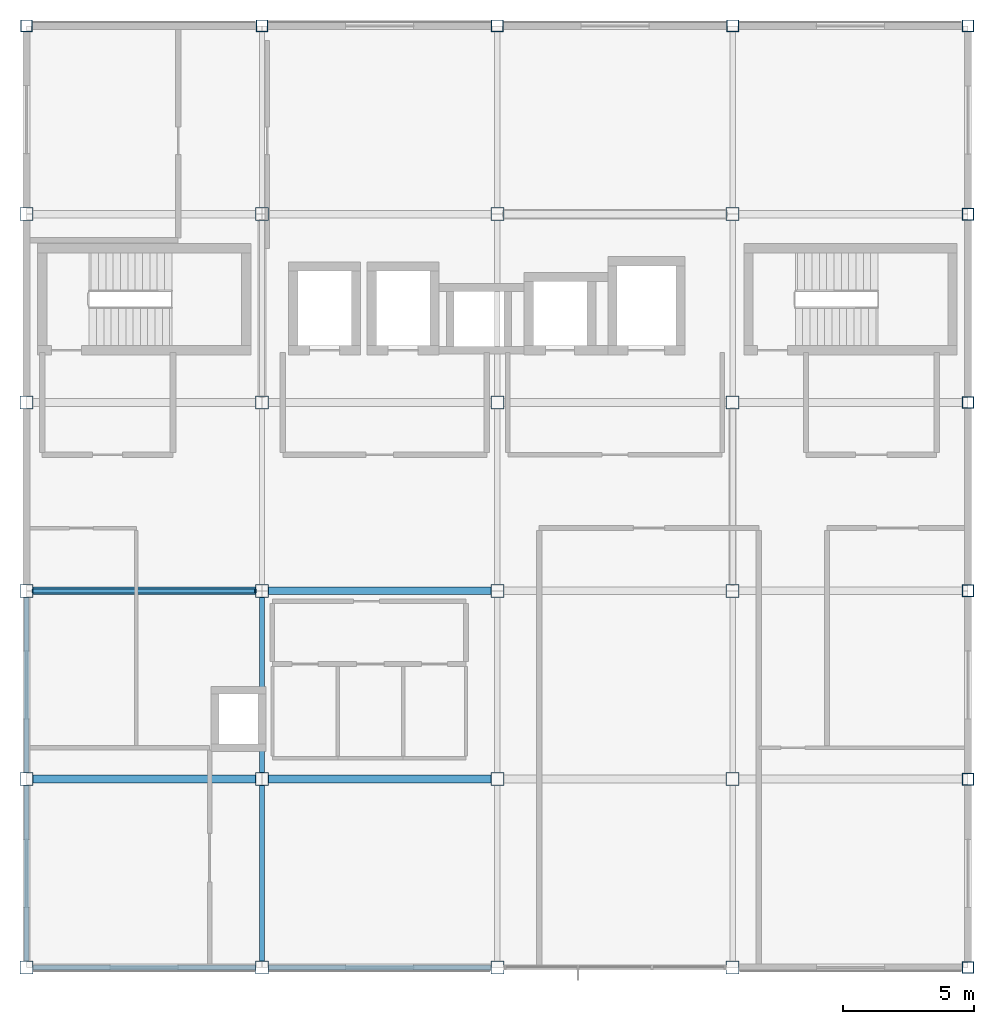
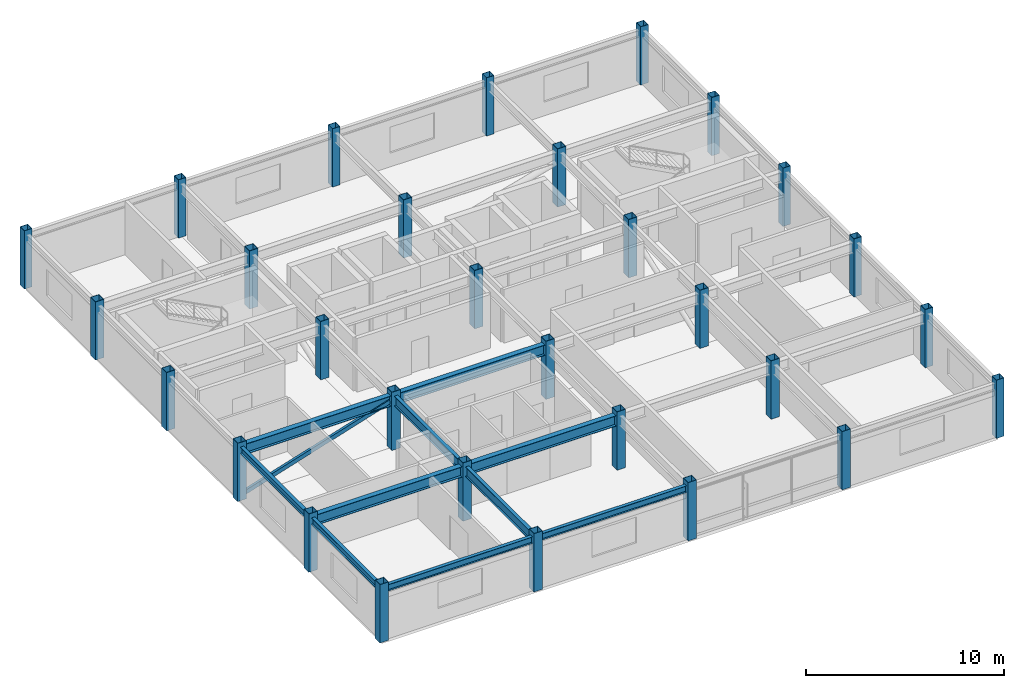
# One storey, part 1 of 7: 30 columns, 10 beams, 1 member.
"""IFC4 building model written with IfcOpenShell, lengths in metres."""

from ifc_helpers import new_model, si_unit, direction, frame, origin, origin_2d, place, context, subcontext, project, spatial, hollow_rectangle, i_section, extrude, material, material_profile, profile_set, type_object, element, save


model = new_model("IFC4")

# Units and contexts
model_context = context("Model", 3, precision=1e-05, world=origin(), true_north=direction((0.0, 1.0)))
body_context = subcontext(model_context, "Body", "Model", "MODEL_VIEW")
ifc_project = project(units=[si_unit("LENGTHUNIT", "METRE"), si_unit("AREAUNIT", "SQUARE_METRE"), si_unit("VOLUMEUNIT", "CUBIC_METRE"), si_unit("PLANEANGLEUNIT", "RADIAN"), si_unit("MASSUNIT", "GRAM", prefix="KILO")], contexts=[model_context])

# Site, building, storey
site_placement = place(None, origin())
site = spatial("IfcSite", under=ifc_project, at=site_placement, CompositionType="ELEMENT")
building_placement = place(site_placement, origin())
building = spatial("IfcBuilding", under=site, at=building_placement, Name="Kazanami Central Library", CompositionType="ELEMENT")
storey_placement = place(building_placement, frame((0.0, 0.0, 27.800048828125)))
storey = spatial("IfcBuildingStorey", under=building, at=storey_placement, Name="L08", CompositionType="ELEMENT", Elevation=27.800048828125)

# Columns
ifc_material_1 = material(Name="Steel BCP325 (325 MPa)", Category="steel")
ifc_material_profile_1 = material_profile(ifc_material_1, hollow_rectangle(XDim=0.5, YDim=0.5, WallThickness=0.02197265625, at=origin_2d()), Name="BCP-500x500x22")
ifc_profile_set_1 = profile_set([ifc_material_profile_1], Name="Steel BCP325 (325 MPa)")
column_type_1 = type_object("IfcColumnType", Name="COL-C-T4I", PredefinedType="COLUMN", material=ifc_profile_set_1)
for number, where, z_axis, x_axis, name in (
    (1, (126.0, 57.60009765625, 0.0), (0.0, 0.0, 1.0), (1.0, 0.0, 0.0), "Column C-T4I L08 15/J"),
    (2, (126.0, 64.800048828125, 0.0), (0.0, 0.0, 1.0), (1.0, 0.0, 0.0), "Column C-T4I L08 15/K"),
    (3, (126.0, 72.0, 0.0), (0.0, 0.0, 1.0), (1.0, 0.0, 0.0), "Column C-T4I L08 15/L"),
    (4, (126.0, 79.199951171875, 0.0), (0.0, 0.0, 1.0), (1.0, 0.0, 0.0), "Column C-T4I L08 15/M"),
    (5, (126.0, 86.39990234375, 0.0), (0.0, 0.0, 1.0), (1.0, 0.0, 0.0), "Column C-T4I L08 15/N"),
    (6, (135.0, 57.60009765625, 0.0), (0.0, 0.0, 1.0), (1.0, 0.0, 0.0), "Column C-T4I L08 16/J"),
    (7, (135.0, 64.800048828125, 0.0), (0.0, 0.0, 1.0), (1.0, 0.0, 0.0), "Column C-T4I L08 16/K"),
    (8, (135.0, 72.0, 0.0), (0.0, 0.0, 1.0), (1.0, 0.0, 0.0), "Column C-T4I L08 16/L"),
    (9, (135.0, 79.199951171875, 0.0), (0.0, 0.0, 1.0), (1.0, 0.0, 0.0), "Column C-T4I L08 16/M"),
    (10, (135.0, 86.39990234375, 0.0), (0.0, 0.0, 1.0), (1.0, 0.0, 0.0), "Column C-T4I L08 16/N"),
    (11, (144.0, 57.60009765625, 0.0), (0.0, 0.0, 1.0), (1.0, 0.0, 0.0), "Column C-T4I L08 17/J"),
    (12, (144.0, 64.800048828125, 0.0), (0.0, 0.0, 1.0), (1.0, 0.0, 0.0), "Column C-T4I L08 17/K"),
    (13, (144.0, 72.0, 0.0), (0.0, 0.0, 1.0), (1.0, 0.0, 0.0), "Column C-T4I L08 17/L"),
    (14, (144.0, 79.199951171875, 0.0), (0.0, 0.0, 1.0), (1.0, 0.0, 0.0), "Column C-T4I L08 17/M"),
    (15, (144.0, 86.39990234375, 0.0), (0.0, 0.0, 1.0), (1.0, 0.0, 0.0), "Column C-T4I L08 17/N"),
    (16, (153.0, 57.60009765625, 0.0), (0.0, 0.0, 1.0), (1.0, 0.0, 0.0), "Column C-T4I L08 18/J"),
    (17, (153.0, 64.800048828125, 0.0), (0.0, 0.0, 1.0), (1.0, 0.0, 0.0), "Column C-T4I L08 18/K"),
    (18, (153.0, 72.0, 0.0), (0.0, 0.0, 1.0), (1.0, 0.0, 0.0), "Column C-T4I L08 18/L"),
    (19, (153.0, 79.199951171875, 0.0), (0.0, 0.0, 1.0), (1.0, 0.0, 0.0), "Column C-T4I L08 18/M"),
    (20, (153.0, 86.39990234375, 0.0), (0.0, 0.0, 1.0), (1.0, 0.0, 0.0), "Column C-T4I L08 18/N"),
):
    element("IfcColumn", number, at=place(storey_placement, frame(where, z_axis=z_axis, x_axis=x_axis)), inside=storey, type_object=column_type_1, Name=name, PredefinedType="COLUMN", context=body_context, shape_type="SweptSolid", body=[
        extrude(hollow_rectangle(XDim=0.5, YDim=0.5, WallThickness=0.02197265625, at=origin_2d()), origin(), (0.0, 0.0, 1.0), 3.599853515625),
    ])
ifc_material_profile_2 = material_profile(ifc_material_1, hollow_rectangle(XDim=0.449951171875, YDim=0.449951171875, WallThickness=0.01904296875, at=origin_2d()), Name="BCP-450x450x19")
ifc_profile_set_2 = profile_set([ifc_material_profile_2], Name="Steel BCP325 (325 MPa)")
column_type_2 = type_object("IfcColumnType", Name="COL-C-T5P", PredefinedType="COLUMN", material=ifc_profile_set_2)
for number, where, z_axis, x_axis, name in (
    (21, (126.0, 93.60009765625, 0.0), (0.0, 0.0, 1.0), (1.0, 0.0, 0.0), "Column C-T5P L08 15/O"),
    (22, (135.0, 93.60009765625, 0.0), (0.0, 0.0, 1.0), (1.0, 0.0, 0.0), "Column C-T5P L08 16/O"),
    (23, (144.0, 93.60009765625, 0.0), (0.0, 0.0, 1.0), (1.0, 0.0, 0.0), "Column C-T5P L08 17/O"),
    (24, (153.0, 93.60009765625, 0.0), (0.0, 0.0, 1.0), (1.0, 0.0, 0.0), "Column C-T5P L08 18/O"),
    (25, (162.0, 57.60009765625, 0.0), (0.0, 0.0, 1.0), (1.0, 0.0, 0.0), "Column C-T5P L08 19/J"),
    (26, (162.0, 64.800048828125, 0.0), (0.0, 0.0, 1.0), (1.0, 0.0, 0.0), "Column C-T5P L08 19/K"),
    (27, (162.0, 72.0, 0.0), (0.0, 0.0, 1.0), (1.0, 0.0, 0.0), "Column C-T5P L08 19/L"),
    (28, (162.0, 79.199951171875, 0.0), (0.0, 0.0, 1.0), (1.0, 0.0, 0.0), "Column C-T5P L08 19/M"),
    (29, (162.0, 86.39990234375, 0.0), (0.0, 0.0, 1.0), (1.0, 0.0, 0.0), "Column C-T5P L08 19/N"),
    (30, (162.0, 93.60009765625, 0.0), (0.0, 0.0, 1.0), (1.0, 0.0, 0.0), "Column C-T5P L08 19/O"),
):
    element("IfcColumn", number, at=place(storey_placement, frame(where, z_axis=z_axis, x_axis=x_axis)), inside=storey, type_object=column_type_2, Name=name, PredefinedType="COLUMN", context=body_context, shape_type="SweptSolid", body=[
        extrude(hollow_rectangle(XDim=0.449951171875, YDim=0.449951171875, WallThickness=0.01904296875, at=origin_2d()), origin(), (0.0, 0.0, 1.0), 3.599853515625),
    ])

# Beams
ifc_material_2 = material(Name="Steel SN490B (325 MPa)", Category="steel")
ifc_material_profile_3 = material_profile(ifc_material_2, i_section(OverallWidth=0.300048828125, OverallDepth=0.64990234375, WebThickness=0.012939453125, FlangeThickness=0.02099609375, at=origin_2d()), Name="H-650x300x13x21")
ifc_profile_set_3 = profile_set([ifc_material_profile_3], Name="Steel SN490B (325 MPa)")
beam_type_1 = type_object("IfcBeamType", Name="BM-G-TR", PredefinedType="BEAM", material=ifc_profile_set_3)
for number, where, z_axis, x_axis, name in (
    (31, (126.248046875, 64.800048828125, 2.989990234375), (1.0, 0.0, 0.0), (0.0, 1.0, 0.0), "Girder G-TR L08 K/15-16"),
    (32, (135.248046875, 64.800048828125, 2.989990234375), (1.0, 0.0, 0.0), (0.0, 1.0, 0.0), "Girder G-TR L08 K/16-17"),
    (33, (126.248046875, 72.0, 2.989990234375), (1.0, 0.0, 0.0), (0.0, 1.0, 0.0), "Girder G-TR L08 L/15-16"),
    (34, (135.248046875, 72.0, 2.989990234375), (1.0, 0.0, 0.0), (0.0, 1.0, 0.0), "Girder G-TR L08 L/16-17"),
):
    element("IfcBeam", number, at=place(storey_placement, frame(where, z_axis=z_axis, x_axis=x_axis)), inside=storey, type_object=beam_type_1, Name=name, PredefinedType="BEAM", context=body_context, shape_type="SweptSolid", body=[
        extrude(i_section(OverallWidth=0.300048828125, OverallDepth=0.64990234375, WebThickness=0.012939453125, FlangeThickness=0.02099609375, at=origin_2d()), origin(), (0.0, 0.0, 1.0), 8.50390625),
    ])
ifc_material_profile_4 = material_profile(ifc_material_2, i_section(OverallWidth=0.199951171875, OverallDepth=0.60009765625, WebThickness=0.010986328125, FlangeThickness=0.01708984375, at=origin_2d()), Name="H-600x200x11x17")
ifc_profile_set_4 = profile_set([ifc_material_profile_4], Name="Steel SN490B (325 MPa)")
beam_type_2 = type_object("IfcBeamType", Name="BM-G-Y1", PredefinedType="BEAM", material=ifc_profile_set_4)
beam_1_placement = place(storey_placement, frame((135.0, 57.847900390625, 3.014892578125), z_axis=(0.0, 1.0, 0.0), x_axis=(-1.0, 0.0, 0.0)))
element("IfcBeam", 35, at=beam_1_placement, inside=storey, type_object=beam_type_2, Name="Girder G-Y1 L08 16/J-K", PredefinedType="BEAM", context=body_context, shape_type="SweptSolid", body=[
    extrude(i_section(OverallWidth=0.199951171875, OverallDepth=0.60009765625, WebThickness=0.010986328125, FlangeThickness=0.01708984375, at=origin_2d()), origin(), (0.0, 0.0, 1.0), 6.7041015625),
])
beam_2_placement = place(storey_placement, frame((135.0, 65.048095703125, 3.014892578125), z_axis=(0.0, 1.0, 0.0), x_axis=(-1.0, 0.0, 0.0)))
element("IfcBeam", 36, at=beam_2_placement, inside=storey, type_object=beam_type_2, Name="Girder G-Y1 L08 16/K-L", PredefinedType="BEAM", context=body_context, shape_type="SweptSolid", body=[
    extrude(i_section(OverallWidth=0.199951171875, OverallDepth=0.60009765625, WebThickness=0.010986328125, FlangeThickness=0.01708984375, at=origin_2d()), origin(), (0.0, 0.0, 1.0), 6.703857421875),
])
ifc_material_profile_5 = material_profile(ifc_material_2, i_section(OverallWidth=0.199951171875, OverallDepth=0.39990234375, WebThickness=0.008056640625, FlangeThickness=0.012939453125, at=origin_2d()), Name="H-400x200x8x13")
ifc_profile_set_5 = profile_set([ifc_material_profile_5], Name="Steel SN490B (325 MPa)")
beam_type_3 = type_object("IfcBeamType", Name="BM-SP-3", PredefinedType="SPANDREL", material=ifc_profile_set_5)
for number, where, z_axis, x_axis, name in (
    (37, (126.248046875, 57.60009765625, 3.114990234375), (1.0, 0.0, 0.0), (0.0, 1.0, 0.0), "Girder SP-3 L08 J/15-16"),
    (38, (135.248046875, 57.60009765625, 3.114990234375), (1.0, 0.0, 0.0), (0.0, 1.0, 0.0), "Girder SP-3 L08 J/16-17"),
):
    element("IfcBeam", number, at=place(storey_placement, frame(where, z_axis=z_axis, x_axis=x_axis)), inside=storey, type_object=beam_type_3, Name=name, PredefinedType="SPANDREL", context=body_context, shape_type="SweptSolid", body=[
        extrude(i_section(OverallWidth=0.199951171875, OverallDepth=0.39990234375, WebThickness=0.008056640625, FlangeThickness=0.012939453125, at=origin_2d()), origin(), (0.0, 0.0, 1.0), 8.50390625),
    ])
beam_3_placement = place(storey_placement, frame((126.0, 57.847900390625, 3.114990234375), z_axis=(0.0, 1.0, 0.0), x_axis=(-1.0, 0.0, 0.0)))
element("IfcBeam", 39, at=beam_3_placement, inside=storey, type_object=beam_type_3, Name="Girder SP-3 L08 15/J-K", PredefinedType="SPANDREL", context=body_context, shape_type="SweptSolid", body=[
    extrude(i_section(OverallWidth=0.199951171875, OverallDepth=0.39990234375, WebThickness=0.008056640625, FlangeThickness=0.012939453125, at=origin_2d()), origin(), (0.0, 0.0, 1.0), 6.7041015625),
])
beam_4_placement = place(storey_placement, frame((126.0, 65.048095703125, 3.114990234375), z_axis=(0.0, 1.0, 0.0), x_axis=(-1.0, 0.0, 0.0)))
element("IfcBeam", 40, at=beam_4_placement, inside=storey, type_object=beam_type_3, Name="Girder SP-3 L08 15/K-L", PredefinedType="SPANDREL", context=body_context, shape_type="SweptSolid", body=[
    extrude(i_section(OverallWidth=0.199951171875, OverallDepth=0.39990234375, WebThickness=0.008056640625, FlangeThickness=0.012939453125, at=origin_2d()), origin(), (0.0, 0.0, 1.0), 6.703857421875),
])

# Member
ifc_material_3 = material(Name="Steel STK490 (315 MPa)", Category="steel")
ifc_material_profile_6 = material_profile(ifc_material_3, hollow_rectangle(XDim=0.14990234375, YDim=0.25, WallThickness=0.009033203125, at=origin_2d()), Name="STKR-250x150x9")
ifc_profile_set_6 = profile_set([ifc_material_profile_6], Name="Steel STK490 (315 MPa)")
member_type = type_object("IfcMemberType", Name="MEM-BR-09", PredefinedType="BRACE", material=ifc_profile_set_6)
member_placement = place(storey_placement, frame((126.25, 72.0, 0.25), z_axis=(0.954198658437, 0.0, 0.29917372919), x_axis=(0.0, 1.0, 0.0)))
element("IfcMember", 41, at=member_placement, inside=storey, type_object=member_type, Name="Concentric Steel Brace BR-09 L08 BF-V2A", PredefinedType="BRACE", context=body_context, shape_type="SweptSolid", body=[
    extrude(hollow_rectangle(XDim=0.14990234375, YDim=0.25, WallThickness=0.009033203125, at=origin_2d()), origin(), (0.0, 0.0, 1.0), 8.907958984375),
])

save(model, "model.ifc")
